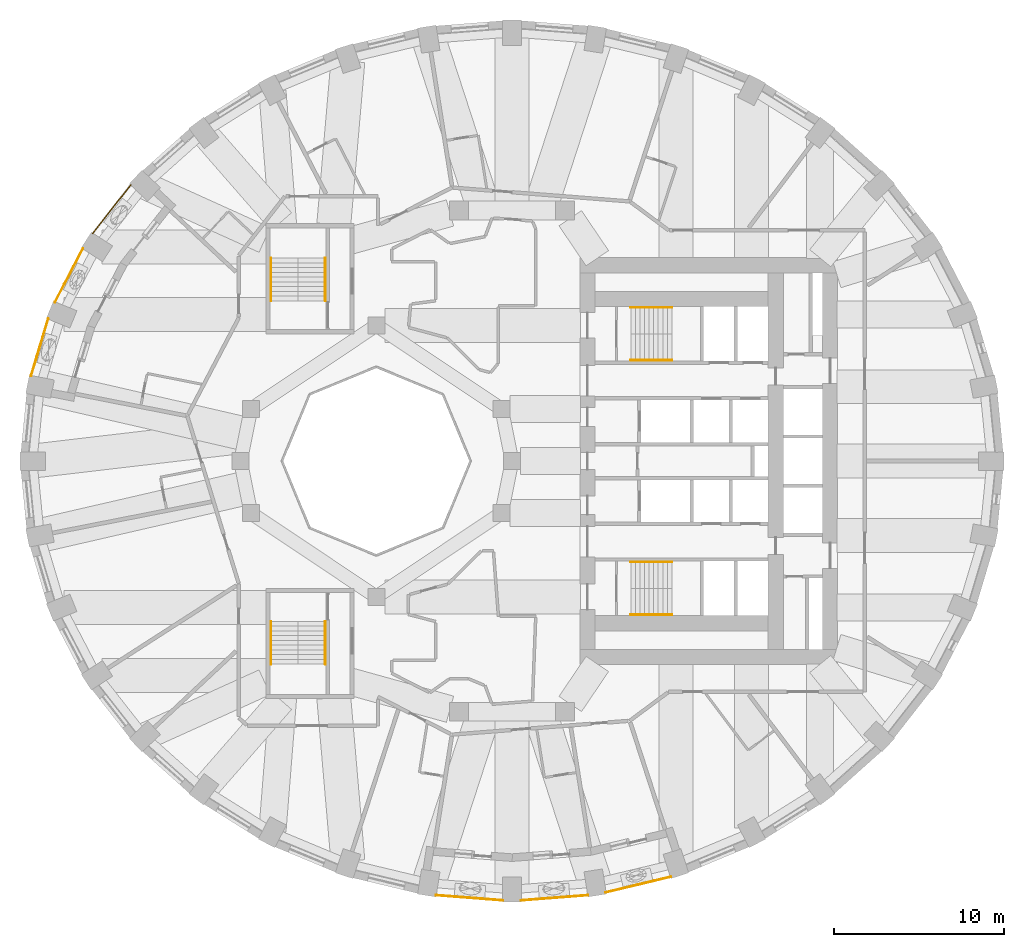
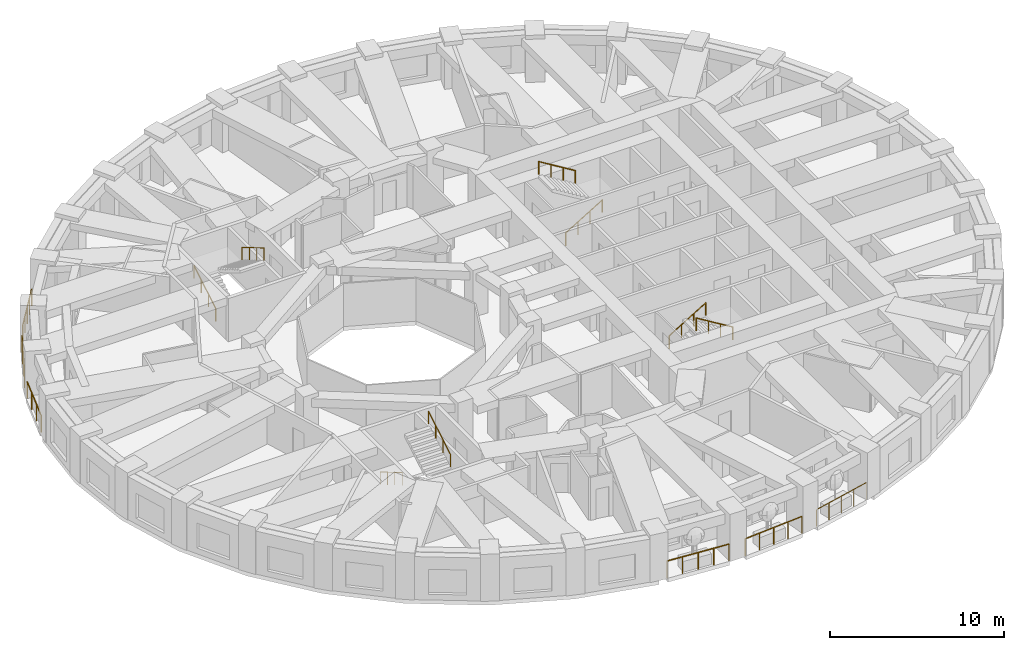
# One storey, part 11 of 13: 14 railings.
"""IFC4 building model written with IfcOpenShell, lengths in metres."""

from ifc_helpers import new_model, si_unit, direction, frame, origin, origin_2d, place, context, subcontext, project, spatial, circle, extrude, material, type_object, element, save


model = new_model("IFC4")

# Units and contexts
model_context = context("Model", 3, precision=1e-05, world=origin(), true_north=direction((0.0, 1.0)))
body_context = subcontext(model_context, "Body", "Model", "MODEL_VIEW")
ifc_project = project(units=[si_unit("LENGTHUNIT", "METRE"), si_unit("AREAUNIT", "SQUARE_METRE"), si_unit("VOLUMEUNIT", "CUBIC_METRE"), si_unit("PLANEANGLEUNIT", "RADIAN"), si_unit("MASSUNIT", "GRAM", prefix="KILO")], contexts=[model_context])

# Site, building, storey
site_placement = place(None, origin())
site = spatial("IfcSite", under=ifc_project, at=site_placement, CompositionType="ELEMENT")
building_placement = place(site_placement, origin())
building = spatial("IfcBuilding", under=site, at=building_placement, Name="Taillehof Tower", CompositionType="ELEMENT")
storey_placement = place(building_placement, frame((0.0, 0.0, 38.199951171875)))
storey = spatial("IfcBuildingStorey", under=building, at=storey_placement, Name="L09", CompositionType="ELEMENT", Elevation=38.199951171875)

# Railings
ifc_material_1 = material(Name="Stainless steel balustrade", Category="steel")
railing_type_1 = type_object("IfcRailingType", Name="Balcony guard 1200", PredefinedType="GUARDRAIL", material=ifc_material_1)
railing_1_placement = place(storey_placement, frame((-22.472412109375, 16.28271484375, 0.0)))
element("IfcRailing", 1, at=railing_1_placement, inside=storey, type_object=railing_type_1, Name="Balcony guard L09 bay 15", PredefinedType="GUARDRAIL", context=body_context, shape_type="SweptSolid", body=[
    extrude(circle(Radius=0.02392578125, at=origin_2d()), frame((0.0, 0.0, 1.17578125), z_axis=(-0.616653661131, -0.787234566196, 0.0), x_axis=(0.787234566196, -0.616653661131, 0.0)), (0.0, 0.0, 1.0), 3.6396484375),
    extrude(circle(Radius=0.02099609375, at=origin_2d()), origin(), (0.0, 0.0, 1.0), 1.15185546875),
    extrude(circle(Radius=0.02099609375, at=origin_2d()), frame((-0.56103515625, -0.71630859375, 0.0)), (0.0, 0.0, 1.0), 1.15185546875),
    extrude(circle(Radius=0.02099609375, at=origin_2d()), frame((-1.1220703125, -1.4326171875, 0.0)), (0.0, 0.0, 1.0), 1.15185546875),
    extrude(circle(Radius=0.02099609375, at=origin_2d()), frame((-1.683349609375, -2.14892578125, 0.0)), (0.0, 0.0, 1.0), 1.15185546875),
    extrude(circle(Radius=0.02099609375, at=origin_2d()), frame((-2.244384765625, -2.865234375, 0.0)), (0.0, 0.0, 1.0), 1.15185546875),
])
railing_2_placement = place(storey_placement, frame((-25.291259765625, 12.526611328125, 0.0)))
element("IfcRailing", 2, at=railing_2_placement, inside=storey, type_object=railing_type_1, Name="Balcony guard L09 bay 16", PredefinedType="GUARDRAIL", context=body_context, shape_type="SweptSolid", body=[
    extrude(circle(Radius=0.02392578125, at=origin_2d()), frame((0.0, 0.0, 1.17578125), z_axis=(-0.462523854419, -0.886606837382, 0.0), x_axis=(0.886606837382, -0.462523854419, 0.0)), (0.0, 0.0, 1.0), 3.56298828125),
    extrude(circle(Radius=0.02099609375, at=origin_2d()), origin(), (0.0, 0.0, 1.0), 1.15185546875),
    extrude(circle(Radius=0.02099609375, at=origin_2d()), frame((-0.54931640625, -1.052978515625, 0.0)), (0.0, 0.0, 1.0), 1.15185546875),
    extrude(circle(Radius=0.02099609375, at=origin_2d()), frame((-1.0986328125, -2.10595703125, 0.0)), (0.0, 0.0, 1.0), 1.15185546875),
    extrude(circle(Radius=0.02099609375, at=origin_2d()), frame((-1.64794921875, -3.158935546875, 0.0)), (0.0, 0.0, 1.0), 1.15185546875),
])
railing_3_placement = place(storey_placement, frame((-27.33837890625, 8.385498046875, 0.0)))
element("IfcRailing", 3, at=railing_3_placement, inside=storey, type_object=railing_type_1, Name="Balcony guard L09 bay 17", PredefinedType="GUARDRAIL", context=body_context, shape_type="SweptSolid", body=[
    extrude(circle(Radius=0.02392578125, at=origin_2d()), frame((0.0, 0.0, 1.17578125), z_axis=(-0.287098668231, -0.957901015085, 0.0), x_axis=(0.957901015085, -0.287098668231, 0.0)), (0.0, 0.0, 1.0), 3.505126953125),
    extrude(circle(Radius=0.02099609375, at=origin_2d()), origin(), (0.0, 0.0, 1.0), 1.15185546875),
    extrude(circle(Radius=0.02099609375, at=origin_2d()), frame((-0.33544921875, -1.119140625, 0.0)), (0.0, 0.0, 1.0), 1.15185546875),
    extrude(circle(Radius=0.02099609375, at=origin_2d()), frame((-0.6708984375, -2.238525390625, 0.0)), (0.0, 0.0, 1.0), 1.15185546875),
    extrude(circle(Radius=0.02099609375, at=origin_2d()), frame((-1.00634765625, -3.357666015625, 0.0)), (0.0, 0.0, 1.0), 1.15185546875),
])
railing_4_placement = place(storey_placement, frame((-4.483154296875, -25.589111328125, 0.0)))
element("IfcRailing", 4, at=railing_4_placement, inside=storey, type_object=railing_type_1, Name="Balcony guard L09 bay 27", PredefinedType="GUARDRAIL", context=body_context, shape_type="SweptSolid", body=[
    extrude(circle(Radius=0.02392578125, at=origin_2d()), frame((0.0, 0.0, 1.17578125), z_axis=(0.996952571778, -0.078010061045, 0.0), x_axis=(0.078010061045, 0.996952571778, 0.0)), (0.0, 0.0, 1.0), 3.965087890625),
    extrude(circle(Radius=0.02099609375, at=origin_2d()), origin(), (0.0, 0.0, 1.0), 1.15185546875),
    extrude(circle(Radius=0.02099609375, at=origin_2d()), frame((0.98828125, -0.077392578125, 0.0)), (0.0, 0.0, 1.0), 1.15185546875),
    extrude(circle(Radius=0.02099609375, at=origin_2d()), frame((1.9765625, -0.15478515625, 0.0)), (0.0, 0.0, 1.0), 1.15185546875),
    extrude(circle(Radius=0.02099609375, at=origin_2d()), frame((2.96484375, -0.23193359375, 0.0)), (0.0, 0.0, 1.0), 1.15185546875),
    extrude(circle(Radius=0.02099609375, at=origin_2d()), frame((3.953125, -0.309326171875, 0.0)), (0.0, 0.0, 1.0), 1.15185546875),
])
railing_5_placement = place(storey_placement, frame((0.530029296875, -25.8984375, 0.0)))
element("IfcRailing", 5, at=railing_5_placement, inside=storey, type_object=railing_type_1, Name="Balcony guard L09 bay 28", PredefinedType="GUARDRAIL", context=body_context, shape_type="SweptSolid", body=[
    extrude(circle(Radius=0.02392578125, at=origin_2d()), frame((0.0, 0.0, 1.17578125), z_axis=(0.996952571778, 0.078010061045, 0.0), x_axis=(-0.078010061045, 0.996952571778, 0.0)), (0.0, 0.0, 1.0), 3.965087890625),
    extrude(circle(Radius=0.02099609375, at=origin_2d()), origin(), (0.0, 0.0, 1.0), 1.15185546875),
    extrude(circle(Radius=0.02099609375, at=origin_2d()), frame((0.98828125, 0.077392578125, 0.0)), (0.0, 0.0, 1.0), 1.15185546875),
    extrude(circle(Radius=0.02099609375, at=origin_2d()), frame((1.9765625, 0.15478515625, 0.0)), (0.0, 0.0, 1.0), 1.15185546875),
    extrude(circle(Radius=0.02099609375, at=origin_2d()), frame((2.96484375, 0.23193359375, 0.0)), (0.0, 0.0, 1.0), 1.15185546875),
    extrude(circle(Radius=0.02099609375, at=origin_2d()), frame((3.953125, 0.309326171875, 0.0)), (0.0, 0.0, 1.0), 1.15185546875),
])
railing_6_placement = place(storey_placement, frame((5.5302734375, -25.423828125, 0.0)))
element("IfcRailing", 6, at=railing_6_placement, inside=storey, type_object=railing_type_1, Name="Balcony guard L09 bay 29", PredefinedType="GUARDRAIL", context=body_context, shape_type="SweptSolid", body=[
    extrude(circle(Radius=0.02392578125, at=origin_2d()), frame((0.0, 0.0, 1.17578125), z_axis=(0.972495275648, 0.232922602687, 0.0), x_axis=(-0.232922602687, 0.972495275648, 0.0)), (0.0, 0.0, 1.0), 3.93701171875),
    extrude(circle(Radius=0.02099609375, at=origin_2d()), origin(), (0.0, 0.0, 1.0), 1.15185546875),
    extrude(circle(Radius=0.02099609375, at=origin_2d()), frame((0.95703125, 0.229248046875, 0.0)), (0.0, 0.0, 1.0), 1.15185546875),
    extrude(circle(Radius=0.02099609375, at=origin_2d()), frame((1.914306640625, 0.45849609375, 0.0)), (0.0, 0.0, 1.0), 1.15185546875),
    extrude(circle(Radius=0.02099609375, at=origin_2d()), frame((2.87158203125, 0.687744140625, 0.0)), (0.0, 0.0, 1.0), 1.15185546875),
    extrude(circle(Radius=0.02099609375, at=origin_2d()), frame((3.82861328125, 0.9169921875, 0.0)), (0.0, 0.0, 1.0), 1.15185546875),
])
ifc_material_2 = material(Name="Stainless steel", Category="steel")
railing_type_2 = type_object("IfcRailingType", Name="Stair handrail 900", PredefinedType="HANDRAIL", material=ifc_material_2)
railing_7_placement = place(storey_placement, frame((7.0, 5.949951171875, 0.1650390625)))
element("IfcRailing", 7, at=railing_7_placement, inside=storey, type_object=railing_type_2, Name="Stair S1 handrail", PredefinedType="HANDRAIL", context=body_context, shape_type="SweptSolid", body=[
    extrude(circle(Radius=0.02392578125, at=origin_2d()), frame((0.0, 0.0, 0.8759765625), z_axis=(0.853258522278, 0.0, 0.521488153423), x_axis=(0.0, 1.0, 0.0)), (0.0, 0.0, 1.0), 2.847900390625),
    extrude(circle(Radius=0.02099609375, at=origin_2d()), origin(), (0.0, 0.0, 1.0), 0.851806640625),
    extrude(circle(Radius=0.02099609375, at=origin_2d()), frame((0.81005859375, 0.0, 0.4951171875)), (0.0, 0.0, 1.0), 0.851806640625),
    extrude(circle(Radius=0.02099609375, at=origin_2d()), frame((1.619873046875, 0.0, 0.989990234375)), (0.0, 0.0, 1.0), 0.851806640625),
    extrude(circle(Radius=0.02099609375, at=origin_2d()), frame((2.429931640625, 0.0, 1.485107421875)), (0.0, 0.0, 1.0), 0.851806640625),
])
railing_8_placement = place(storey_placement, frame((9.429931640625, 9.050048828125, 1.81494140625)))
element("IfcRailing", 8, at=railing_8_placement, inside=storey, type_object=railing_type_2, Name="Stair S1 handrail", PredefinedType="HANDRAIL", context=body_context, shape_type="SweptSolid", body=[
    extrude(circle(Radius=0.02392578125, at=origin_2d()), frame((0.0, 0.0, 0.8759765625), z_axis=(-0.853258522278, 0.0, 0.521488153423), x_axis=(0.0, -1.0, 0.0)), (0.0, 0.0, 1.0), 2.847900390625),
    extrude(circle(Radius=0.02099609375, at=origin_2d()), origin(), (0.0, 0.0, 1.0), 0.851806640625),
    extrude(circle(Radius=0.02099609375, at=origin_2d()), frame((-0.81005859375, 0.0, 0.4951171875)), (0.0, 0.0, 1.0), 0.851806640625),
    extrude(circle(Radius=0.02099609375, at=origin_2d()), frame((-1.619873046875, 0.0, 0.989990234375)), (0.0, 0.0, 1.0), 0.851806640625),
    extrude(circle(Radius=0.02099609375, at=origin_2d()), frame((-2.429931640625, 0.0, 1.485107421875)), (0.0, 0.0, 1.0), 0.851806640625),
])
railing_9_placement = place(storey_placement, frame((7.0, -5.949951171875, 0.1650390625)))
element("IfcRailing", 9, at=railing_9_placement, inside=storey, type_object=railing_type_2, Name="Stair S2 handrail", PredefinedType="HANDRAIL", context=body_context, shape_type="SweptSolid", body=[
    extrude(circle(Radius=0.02392578125, at=origin_2d()), frame((0.0, 0.0, 0.8759765625), z_axis=(0.853258522278, 0.0, 0.521488153423), x_axis=(0.0, 1.0, 0.0)), (0.0, 0.0, 1.0), 2.847900390625),
    extrude(circle(Radius=0.02099609375, at=origin_2d()), origin(), (0.0, 0.0, 1.0), 0.851806640625),
    extrude(circle(Radius=0.02099609375, at=origin_2d()), frame((0.81005859375, 0.0, 0.4951171875)), (0.0, 0.0, 1.0), 0.851806640625),
    extrude(circle(Radius=0.02099609375, at=origin_2d()), frame((1.619873046875, 0.0, 0.989990234375)), (0.0, 0.0, 1.0), 0.851806640625),
    extrude(circle(Radius=0.02099609375, at=origin_2d()), frame((2.429931640625, 0.0, 1.485107421875)), (0.0, 0.0, 1.0), 0.851806640625),
])
railing_10_placement = place(storey_placement, frame((9.429931640625, -9.050048828125, 1.81494140625)))
element("IfcRailing", 10, at=railing_10_placement, inside=storey, type_object=railing_type_2, Name="Stair S2 handrail", PredefinedType="HANDRAIL", context=body_context, shape_type="SweptSolid", body=[
    extrude(circle(Radius=0.02392578125, at=origin_2d()), frame((0.0, 0.0, 0.8759765625), z_axis=(-0.853258522278, 0.0, 0.521488153423), x_axis=(0.0, -1.0, 0.0)), (0.0, 0.0, 1.0), 2.847900390625),
    extrude(circle(Radius=0.02099609375, at=origin_2d()), origin(), (0.0, 0.0, 1.0), 0.851806640625),
    extrude(circle(Radius=0.02099609375, at=origin_2d()), frame((-0.81005859375, 0.0, 0.4951171875)), (0.0, 0.0, 1.0), 0.851806640625),
    extrude(circle(Radius=0.02099609375, at=origin_2d()), frame((-1.619873046875, 0.0, 0.989990234375)), (0.0, 0.0, 1.0), 0.851806640625),
    extrude(circle(Radius=0.02099609375, at=origin_2d()), frame((-2.429931640625, 0.0, 1.485107421875)), (0.0, 0.0, 1.0), 0.851806640625),
])
railing_11_placement = place(storey_placement, frame((-14.199951171875, 9.449951171875, 0.1650390625)))
element("IfcRailing", 11, at=railing_11_placement, inside=storey, type_object=railing_type_2, Name="Stair S3 handrail", PredefinedType="HANDRAIL", context=body_context, shape_type="SweptSolid", body=[
    extrude(circle(Radius=0.02392578125, at=origin_2d()), frame((0.0, 0.0, 0.8759765625), z_axis=(0.0, 0.86152411907, 0.507716645641), x_axis=(-1.0, 0.0, 0.0)), (0.0, 0.0, 1.0), 2.925048828125),
    extrude(circle(Radius=0.02099609375, at=origin_2d()), origin(), (0.0, 0.0, 1.0), 0.851806640625),
    extrude(circle(Radius=0.02099609375, at=origin_2d()), frame((0.0, 0.840087890625, 0.4951171875)), (0.0, 0.0, 1.0), 0.851806640625),
    extrude(circle(Radius=0.02099609375, at=origin_2d()), frame((0.0, 1.679931640625, 0.989990234375)), (0.0, 0.0, 1.0), 0.851806640625),
    extrude(circle(Radius=0.02099609375, at=origin_2d()), frame((0.0, 2.52001953125, 1.485107421875)), (0.0, 0.0, 1.0), 0.851806640625),
])
for number, where, name in (
    (12, (-11.0, 11.969970703125, 1.81494140625), "Stair S3 handrail"),
    (13, (-14.199951171875, -9.449951171875, 0.1650390625), "Stair S4 handrail"),
):
    element("IfcRailing", number, at=place(storey_placement, frame(where)), inside=storey, type_object=railing_type_2, Name=name, PredefinedType="HANDRAIL", context=body_context, shape_type="SweptSolid", body=[
        extrude(circle(Radius=0.02392578125, at=origin_2d()), frame((0.0, 0.0, 0.8759765625), z_axis=(0.0, -0.86152411907, 0.507716645641), x_axis=(1.0, 0.0, 0.0)), (0.0, 0.0, 1.0), 2.925048828125),
        extrude(circle(Radius=0.02099609375, at=origin_2d()), origin(), (0.0, 0.0, 1.0), 0.851806640625),
        extrude(circle(Radius=0.02099609375, at=origin_2d()), frame((0.0, -0.840087890625, 0.4951171875)), (0.0, 0.0, 1.0), 0.851806640625),
        extrude(circle(Radius=0.02099609375, at=origin_2d()), frame((0.0, -1.679931640625, 0.989990234375)), (0.0, 0.0, 1.0), 0.851806640625),
        extrude(circle(Radius=0.02099609375, at=origin_2d()), frame((0.0, -2.52001953125, 1.485107421875)), (0.0, 0.0, 1.0), 0.851806640625),
    ])
railing_12_placement = place(storey_placement, frame((-11.0, -11.969970703125, 1.81494140625)))
element("IfcRailing", 14, at=railing_12_placement, inside=storey, type_object=railing_type_2, Name="Stair S4 handrail", PredefinedType="HANDRAIL", context=body_context, shape_type="SweptSolid", body=[
    extrude(circle(Radius=0.02392578125, at=origin_2d()), frame((0.0, 0.0, 0.8759765625), z_axis=(0.0, 0.86152411907, 0.507716645641), x_axis=(-1.0, 0.0, 0.0)), (0.0, 0.0, 1.0), 2.925048828125),
    extrude(circle(Radius=0.02099609375, at=origin_2d()), origin(), (0.0, 0.0, 1.0), 0.851806640625),
    extrude(circle(Radius=0.02099609375, at=origin_2d()), frame((0.0, 0.840087890625, 0.4951171875)), (0.0, 0.0, 1.0), 0.851806640625),
    extrude(circle(Radius=0.02099609375, at=origin_2d()), frame((0.0, 1.679931640625, 0.989990234375)), (0.0, 0.0, 1.0), 0.851806640625),
    extrude(circle(Radius=0.02099609375, at=origin_2d()), frame((0.0, 2.52001953125, 1.485107421875)), (0.0, 0.0, 1.0), 0.851806640625),
])

save(model, "model.ifc")
